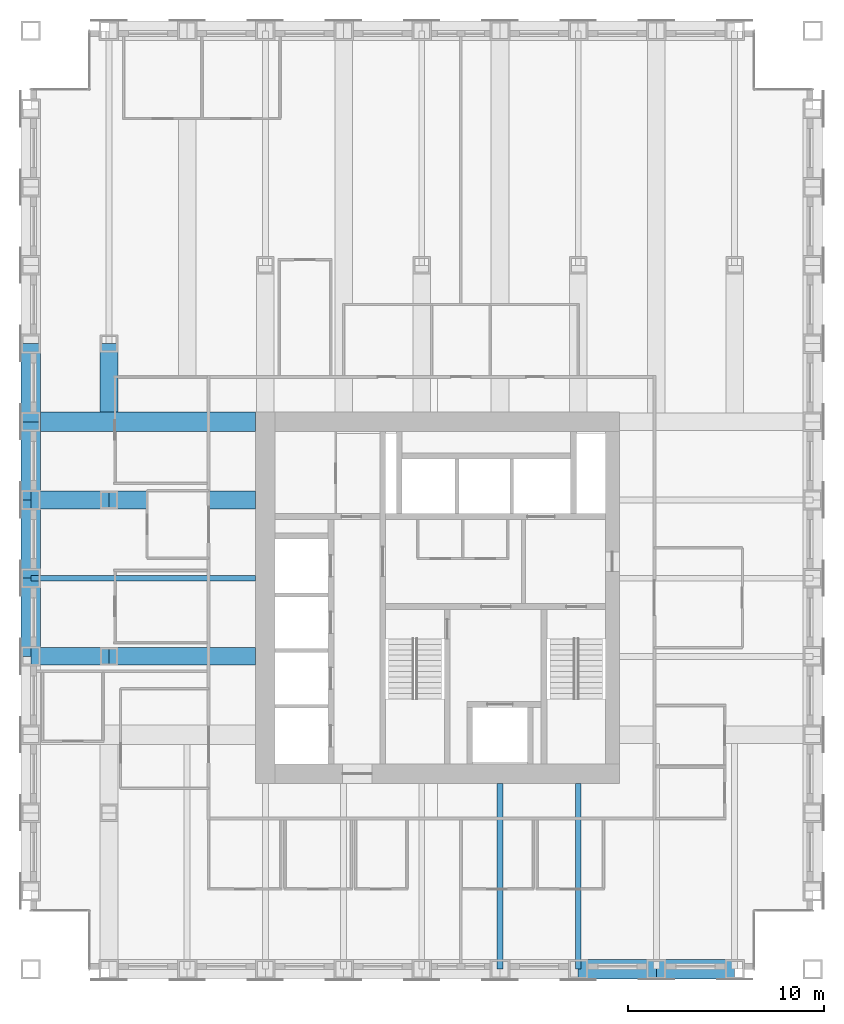
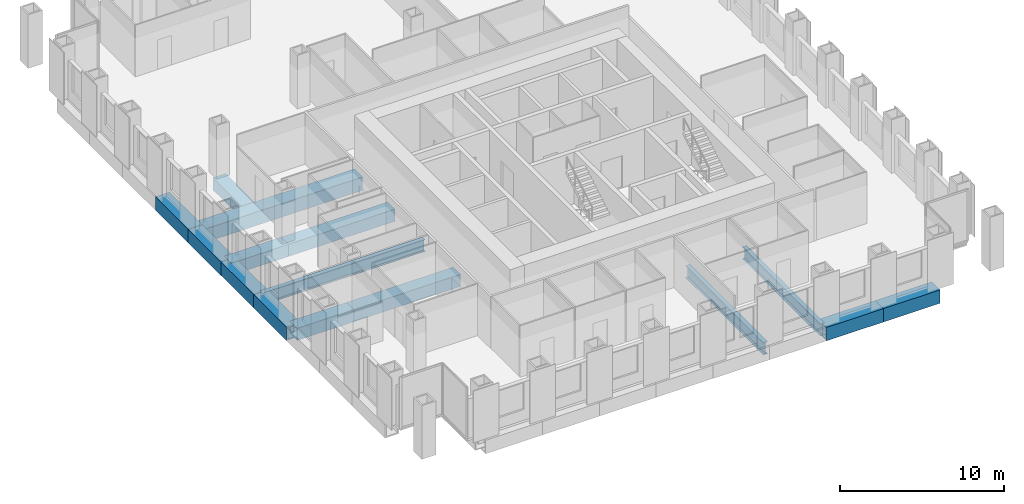
# One storey, part 3 of 14: 15 beams.
"""IFC4 building model written with IfcOpenShell, lengths in metres."""

from ifc_helpers import new_model, si_unit, direction, frame, origin, origin_2d, place, context, subcontext, project, spatial, hollow_rectangle, i_section, extrude, material, material_profile, profile_set, type_object, element, save


model = new_model("IFC4")

# Units and contexts
model_context = context("Model", 3, precision=1e-05, world=origin(), true_north=direction((0.0, 1.0)))
body_context = subcontext(model_context, "Body", "Model", "MODEL_VIEW")
ifc_project = project(units=[si_unit("LENGTHUNIT", "METRE"), si_unit("AREAUNIT", "SQUARE_METRE"), si_unit("VOLUMEUNIT", "CUBIC_METRE"), si_unit("PLANEANGLEUNIT", "RADIAN"), si_unit("MASSUNIT", "GRAM", prefix="KILO")], contexts=[model_context])

# Site, building, storey
site_placement = place(None, origin())
site = spatial("IfcSite", under=ifc_project, at=site_placement, CompositionType="ELEMENT")
building_placement = place(site_placement, origin())
building = spatial("IfcBuilding", under=site, at=building_placement, Name="Rimbunsela Tower", CompositionType="ELEMENT")
storey_placement = place(building_placement, frame((0.0, 0.0, 179.800048828125)))
storey = spatial("IfcBuildingStorey", under=building, at=storey_placement, Name="L43", CompositionType="ELEMENT", Elevation=179.800048828125)

# Beams
ifc_material_1 = material(Name="Steel BJ 55 (fy 410 MPa)", Category="steel")
ifc_material_profile_1 = material_profile(ifc_material_1, hollow_rectangle(XDim=1.0, YDim=1.0, WallThickness=0.10009765625, at=origin_2d()), Name="BOX 1000x1000x100")
ifc_profile_set_1 = profile_set([ifc_material_profile_1], Name="Steel BJ 55 (fy 410 MPa)")
beam_type_1 = type_object("IfcBeamType", Name="Beam BOX 1000x1000x100", PredefinedType="BEAM", material=ifc_profile_set_1)
for number, where, z_axis, x_axis, name in (
    (1, (6.0, 24.0, -0.650146484375), (0.0, 1.0, 0.0), (-1.0, 0.0, 0.0), "Beam B3 L43"),
    (2, (6.0, 28.0, -0.650146484375), (0.0, 1.0, 0.0), (-1.0, 0.0, 0.0), "Beam B3 L43"),
    (3, (6.0, 32.0, -0.650146484375), (0.0, 1.0, 0.0), (-1.0, 0.0, 0.0), "Beam B3 L43"),
    (4, (6.0, 36.0, -0.650146484375), (0.0, 1.0, 0.0), (-1.0, 0.0, 0.0), "Beam B3 L43"),
):
    element("IfcBeam", number, at=place(storey_placement, frame(where, z_axis=z_axis, x_axis=x_axis)), inside=storey, type_object=beam_type_1, Name=name, PredefinedType="BEAM", context=body_context, shape_type="SweptSolid", body=[
        extrude(hollow_rectangle(XDim=1.0, YDim=1.0, WallThickness=0.10009765625, at=origin_2d()), origin(), (0.0, 0.0, 1.0), 4.0),
    ])
beam_1_placement = place(storey_placement, frame((6.0, 36.0, -0.650146484375), z_axis=(1.0, 0.0, 0.0), x_axis=(0.0, 1.0, 0.0)))
element("IfcBeam", 5, at=beam_1_placement, inside=storey, type_object=beam_type_1, Name="Beam B3 L43", PredefinedType="BEAM", context=body_context, shape_type="SweptSolid", body=[
    extrude(hollow_rectangle(XDim=1.0, YDim=1.0, WallThickness=0.10009765625, at=origin_2d()), origin(), (0.0, 0.0, 1.0), 11.5),
])
for number, where, z_axis, x_axis, name in (
    (6, (34.0, 8.0, -0.650146484375), (1.0, 0.0, 0.0), (0.0, 1.0, 0.0), "Beam B3 L43"),
    (7, (38.0, 8.0, -0.650146484375), (1.0, 0.0, 0.0), (0.0, 1.0, 0.0), "Beam B3 L43"),
):
    element("IfcBeam", number, at=place(storey_placement, frame(where, z_axis=z_axis, x_axis=x_axis)), inside=storey, type_object=beam_type_1, Name=name, PredefinedType="BEAM", context=body_context, shape_type="SweptSolid", body=[
        extrude(hollow_rectangle(XDim=1.0, YDim=1.0, WallThickness=0.10009765625, at=origin_2d()), origin(), (0.0, 0.0, 1.0), 4.0),
    ])
ifc_material_2 = material(Name="Steel BJ 55 (fy 410 MPa)", Category="steel")
ifc_material_profile_2 = material_profile(ifc_material_2, hollow_rectangle(XDim=0.89990234375, YDim=0.89990234375, WallThickness=0.06005859375, at=origin_2d()), Name="BOX 900x900x60")
ifc_profile_set_2 = profile_set([ifc_material_profile_2], Name="Steel BJ 55 (fy 410 MPa)")
beam_type_2 = type_object("IfcBeamType", Name="Beam BOX 900x900x60", PredefinedType="BEAM", material=ifc_profile_set_2)
for number, where, z_axis, x_axis, name in (
    (8, (6.0, 24.0, -0.60009765625), (1.0, 0.0, 0.0), (0.0, 1.0, 0.0), "Beam B1 L43"),
    (9, (6.0, 32.0, -0.60009765625), (1.0, 0.0, 0.0), (0.0, 1.0, 0.0), "Beam B1 L43"),
):
    element("IfcBeam", number, at=place(storey_placement, frame(where, z_axis=z_axis, x_axis=x_axis)), inside=storey, type_object=beam_type_2, Name=name, PredefinedType="BEAM", context=body_context, shape_type="SweptSolid", body=[
        extrude(hollow_rectangle(XDim=0.89990234375, YDim=0.89990234375, WallThickness=0.06005859375, at=origin_2d()), origin(), (0.0, 0.0, 1.0), 4.0),
    ])
for number, where, z_axis, x_axis, name in (
    (10, (10.0, 24.0, -0.60009765625), (1.0, 0.0, 0.0), (0.0, 1.0, 0.0), "Beam B1 L43"),
    (11, (10.0, 32.0, -0.60009765625), (1.0, 0.0, 0.0), (0.0, 1.0, 0.0), "Beam B1 L43"),
):
    element("IfcBeam", number, at=place(storey_placement, frame(where, z_axis=z_axis, x_axis=x_axis)), inside=storey, type_object=beam_type_2, Name=name, PredefinedType="BEAM", context=body_context, shape_type="SweptSolid", body=[
        extrude(hollow_rectangle(XDim=0.89990234375, YDim=0.89990234375, WallThickness=0.06005859375, at=origin_2d()), origin(), (0.0, 0.0, 1.0), 7.5),
    ])
beam_2_placement = place(storey_placement, frame((10.0, 36.5, -0.60009765625), z_axis=(0.0, 1.0, 0.0), x_axis=(-1.0, 0.0, 0.0)))
element("IfcBeam", 12, at=beam_2_placement, inside=storey, type_object=beam_type_2, Name="Beam B1 L43", PredefinedType="BEAM", context=body_context, shape_type="SweptSolid", body=[
    extrude(hollow_rectangle(XDim=0.89990234375, YDim=0.89990234375, WallThickness=0.06005859375, at=origin_2d()), origin(), (0.0, 0.0, 1.0), 3.5),
])
ifc_material_3 = material(Name="Steel BJ 55 (fy 410 MPa)", Category="steel")
ifc_material_profile_3 = material_profile(ifc_material_3, i_section(OverallWidth=0.300048828125, OverallDepth=0.89990234375, WebThickness=0.01611328125, FlangeThickness=0.028076171875, FilletRadius=0.028076171875, at=origin_2d()), Name="H 900x300x16x28")
ifc_profile_set_3 = profile_set([ifc_material_profile_3], Name="Steel BJ 55 (fy 410 MPa)")
beam_type_3 = type_object("IfcBeamType", Name="Beam H 900x300x16x28", PredefinedType="BEAM", material=ifc_profile_set_3)
beam_3_placement = place(storey_placement, frame((6.0, 28.0, -0.60009765625), z_axis=(1.0, 0.0, 0.0), x_axis=(0.0, 1.0, 0.0)))
element("IfcBeam", 13, at=beam_3_placement, inside=storey, type_object=beam_type_3, Name="Beam B2 L43", PredefinedType="BEAM", context=body_context, shape_type="SweptSolid", body=[
    extrude(i_section(OverallWidth=0.300048828125, OverallDepth=0.89990234375, WebThickness=0.01611328125, FlangeThickness=0.028076171875, FilletRadius=0.028076171875, at=origin_2d()), origin(), (0.0, 0.0, 1.0), 11.5),
])
for number, where, z_axis, x_axis, name in (
    (14, (30.0, 8.0, -0.60009765625), (0.0, 1.0, 0.0), (-1.0, 0.0, 0.0), "Beam B2 L43"),
    (15, (34.0, 8.0, -0.60009765625), (0.0, 1.0, 0.0), (-1.0, 0.0, 0.0), "Beam B2 L43"),
):
    element("IfcBeam", number, at=place(storey_placement, frame(where, z_axis=z_axis, x_axis=x_axis)), inside=storey, type_object=beam_type_3, Name=name, PredefinedType="BEAM", context=body_context, shape_type="SweptSolid", body=[
        extrude(i_section(OverallWidth=0.300048828125, OverallDepth=0.89990234375, WebThickness=0.01611328125, FlangeThickness=0.028076171875, FilletRadius=0.028076171875, at=origin_2d()), origin(), (0.0, 0.0, 1.0), 9.5),
    ])

save(model, "model.ifc")
